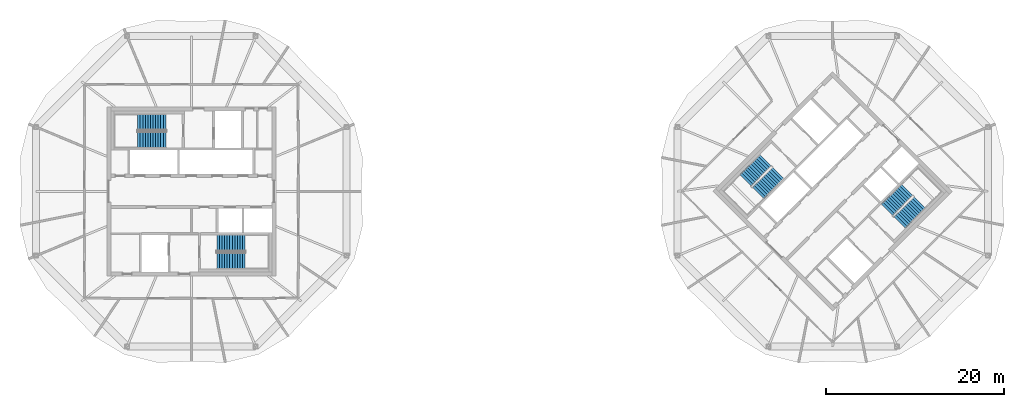
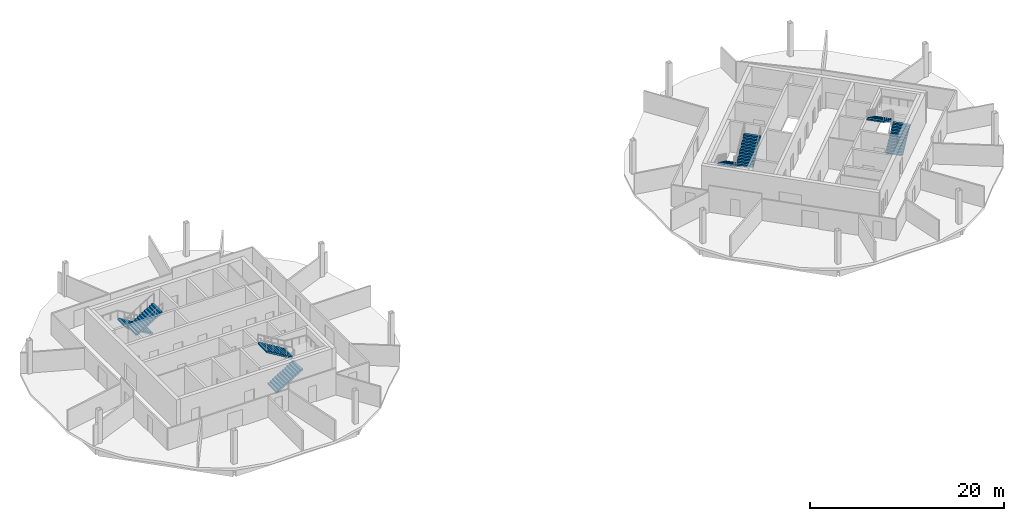
# One storey, part 9 of 10: 8 stair flights, 4 elements without a shape of their own.
"""IFC4 building model written with IfcOpenShell, lengths in metres."""

from ifc_helpers import new_model, si_unit, direction, frame, origin, place, context, subcontext, project, spatial, polyline, outline, extrude, material, type_object, element, aggregate, save


model = new_model("IFC4")

# Units and contexts
model_context = context("Model", 3, precision=1e-05, world=origin(), true_north=direction((0.0, 1.0)))
body_context = subcontext(model_context, "Body", "Model", "MODEL_VIEW")
ifc_project = project(units=[si_unit("LENGTHUNIT", "METRE"), si_unit("AREAUNIT", "SQUARE_METRE"), si_unit("VOLUMEUNIT", "CUBIC_METRE"), si_unit("PLANEANGLEUNIT", "RADIAN"), si_unit("MASSUNIT", "GRAM", prefix="KILO")], contexts=[model_context])

# Site, building, storey
site_placement = place(None, origin())
site = spatial("IfcSite", under=ifc_project, at=site_placement, CompositionType="ELEMENT")
building_placement = place(site_placement, origin())
building = spatial("IfcBuilding", under=site, at=building_placement, Name="Ogive Gate Towers", CompositionType="ELEMENT")
storey_placement = place(building_placement, frame((0.0, 0.0, 260.39990234375)))
storey = spatial("IfcBuildingStorey", under=building, at=storey_placement, Name="L61", CompositionType="ELEMENT", Elevation=260.39990234375)

# Stair, stair flights
ifc_material = material(Name="Concrete C40/50", Category="concrete")
stair_type = type_object("IfcStairType", Name="Escape stair 1840 wide", PredefinedType="HALF_TURN_STAIR", material=ifc_material)
stair_1_placement = place(storey_placement, origin())
stair_1 = element("IfcStair", 1, at=stair_1_placement, inside=storey, type_object=stair_type, Name="L61 Escape stair 1", PredefinedType="HALF_TURN_STAIR")
stair_flight_type = type_object("IfcStairFlightType", Name="Stair flight 1840 wide", PredefinedType="STRAIGHT", material=ifc_material)
stair_flight_1_placement = place(storey_placement, frame((-38.864990234375, 7.780029296875, 0.0), z_axis=(0.0, 0.0, 1.0), x_axis=(-1.0, 0.0, 0.0)))
stair_flight_1 = element("IfcStairFlight", 2, at=stair_flight_1_placement, type_object=stair_flight_type, Name="ST1 flight 1", NumberOfRisers=12, NumberOfTreads=11, PredefinedType="STRAIGHT", RiserHeight=0.175, TreadLength=0.2875, context=body_context, shape_type="SweptSolid", body=[
    extrude(outline(polyline([(0.0, 0.0), (0.0, 0.175048828125), (0.28759765625, 0.175048828125), (0.28759765625, 0.35009765625), (0.574951171875, 0.35009765625), (0.574951171875, 0.52490234375), (0.862548828125, 0.52490234375), (0.862548828125, 0.699951171875), (1.14990234375, 0.699951171875), (1.14990234375, 0.875), (1.4375, 0.875), (1.4375, 1.050048828125), (1.72509765625, 1.050048828125), (1.72509765625, 1.22509765625), (2.012451171875, 1.22509765625), (2.012451171875, 1.39990234375), (2.300048828125, 1.39990234375), (2.300048828125, 1.574951171875), (2.58740234375, 1.574951171875), (2.58740234375, 1.75), (2.875, 1.75), (2.875, 1.925048828125), (3.16259765625, 1.925048828125), (3.16259765625, 2.10009765625), (3.16259765625, 1.74951171875), (0.288330078125, 0.0), (0.0, 0.0)])), frame((0.0, 0.919921875, 0.0), z_axis=(0.0, -1.0, 0.0), x_axis=(1.0, 0.0, 0.0)), (0.0, 0.0, 1.0), 1.840087890625),
])
stair_flight_2_placement = place(storey_placement, frame((-42.027587890625, 5.794921875, 2.10009765625), z_axis=(0.0, 0.0, 1.0), x_axis=(1.0, 0.0, 0.0)))
stair_flight_2 = element("IfcStairFlight", 3, at=stair_flight_2_placement, type_object=stair_flight_type, Name="ST1 flight 2", NumberOfRisers=12, NumberOfTreads=11, PredefinedType="STRAIGHT", RiserHeight=0.175, TreadLength=0.2875, context=body_context, shape_type="SweptSolid", body=[
    extrude(outline(polyline([(0.0, 0.0), (0.0, 0.175048828125), (0.28759765625, 0.175048828125), (0.28759765625, 0.35009765625), (0.574951171875, 0.35009765625), (0.574951171875, 0.52490234375), (0.862548828125, 0.52490234375), (0.862548828125, 0.699951171875), (1.14990234375, 0.699951171875), (1.14990234375, 0.875), (1.4375, 0.875), (1.4375, 1.050048828125), (1.72509765625, 1.050048828125), (1.72509765625, 1.22509765625), (2.012451171875, 1.22509765625), (2.012451171875, 1.39990234375), (2.300048828125, 1.39990234375), (2.300048828125, 1.574951171875), (2.58740234375, 1.574951171875), (2.58740234375, 1.75), (2.875, 1.75), (2.875, 1.925048828125), (3.16259765625, 1.925048828125), (3.16259765625, 2.10009765625), (3.16259765625, 1.74951171875), (0.288330078125, 0.0), (0.0, 0.0)])), frame((0.0, 0.919921875, 0.0), z_axis=(0.0, -1.0, 0.0), x_axis=(1.0, 0.0, 0.0)), (0.0, 0.0, 1.0), 1.840087890625),
])
aggregate(stair_1, [stair_flight_1, stair_flight_2])

stair_2_placement = place(storey_placement, origin())
stair_2 = element("IfcStair", 4, at=stair_2_placement, inside=storey, type_object=stair_type, Name="L61 Escape stair 2", PredefinedType="HALF_TURN_STAIR")
stair_flight_3_placement = place(storey_placement, frame((-33.135009765625, -7.780029296875, 0.0), z_axis=(0.0, 0.0, 1.0), x_axis=(1.0, 0.0, 0.0)))
stair_flight_3 = element("IfcStairFlight", 5, at=stair_flight_3_placement, type_object=stair_flight_type, Name="ST2 flight 1", NumberOfRisers=12, NumberOfTreads=11, PredefinedType="STRAIGHT", RiserHeight=0.175, TreadLength=0.2875, context=body_context, shape_type="SweptSolid", body=[
    extrude(outline(polyline([(0.0, 0.0), (0.0, 0.175048828125), (0.28759765625, 0.175048828125), (0.28759765625, 0.35009765625), (0.574951171875, 0.35009765625), (0.574951171875, 0.52490234375), (0.862548828125, 0.52490234375), (0.862548828125, 0.699951171875), (1.14990234375, 0.699951171875), (1.14990234375, 0.875), (1.4375, 0.875), (1.4375, 1.050048828125), (1.72509765625, 1.050048828125), (1.72509765625, 1.22509765625), (2.012451171875, 1.22509765625), (2.012451171875, 1.39990234375), (2.300048828125, 1.39990234375), (2.300048828125, 1.574951171875), (2.58740234375, 1.574951171875), (2.58740234375, 1.75), (2.875, 1.75), (2.875, 1.925048828125), (3.16259765625, 1.925048828125), (3.16259765625, 2.10009765625), (3.16259765625, 1.74951171875), (0.288330078125, 0.0), (0.0, 0.0)])), frame((0.0, 0.919921875, 0.0), z_axis=(0.0, -1.0, 0.0), x_axis=(1.0, 0.0, 0.0)), (0.0, 0.0, 1.0), 1.840087890625),
])
stair_flight_4_placement = place(storey_placement, frame((-29.972412109375, -5.794921875, 2.10009765625), z_axis=(0.0, 0.0, 1.0), x_axis=(-1.0, 0.0, 0.0)))
stair_flight_4 = element("IfcStairFlight", 6, at=stair_flight_4_placement, type_object=stair_flight_type, Name="ST2 flight 2", NumberOfRisers=12, NumberOfTreads=11, PredefinedType="STRAIGHT", RiserHeight=0.175, TreadLength=0.2875, context=body_context, shape_type="SweptSolid", body=[
    extrude(outline(polyline([(0.0, 0.0), (0.0, 0.175048828125), (0.28759765625, 0.175048828125), (0.28759765625, 0.35009765625), (0.574951171875, 0.35009765625), (0.574951171875, 0.52490234375), (0.862548828125, 0.52490234375), (0.862548828125, 0.699951171875), (1.14990234375, 0.699951171875), (1.14990234375, 0.875), (1.4375, 0.875), (1.4375, 1.050048828125), (1.72509765625, 1.050048828125), (1.72509765625, 1.22509765625), (2.012451171875, 1.22509765625), (2.012451171875, 1.39990234375), (2.300048828125, 1.39990234375), (2.300048828125, 1.574951171875), (2.58740234375, 1.574951171875), (2.58740234375, 1.75), (2.875, 1.75), (2.875, 1.925048828125), (3.16259765625, 1.925048828125), (3.16259765625, 2.10009765625), (3.16259765625, 1.74951171875), (0.288330078125, 0.0), (0.0, 0.0)])), frame((0.0, 0.919921875, 0.0), z_axis=(0.0, -1.0, 0.0), x_axis=(1.0, 0.0, 0.0)), (0.0, 0.0, 1.0), 1.840087890625),
])
aggregate(stair_2, [stair_flight_3, stair_flight_4])

stair_3_placement = place(storey_placement, origin())
stair_3 = element("IfcStair", 7, at=stair_3_placement, inside=storey, type_object=stair_type, Name="L61 Escape stair 1", PredefinedType="HALF_TURN_STAIR")
stair_flight_5_placement = place(storey_placement, frame((28.472900390625, 3.475341796875, 0.0), z_axis=(0.0, 0.0, 1.0), x_axis=(-0.707106781187, -0.707106781187, 0.0)))
stair_flight_5 = element("IfcStairFlight", 8, at=stair_flight_5_placement, type_object=stair_flight_type, Name="ST1 flight 1", NumberOfRisers=12, NumberOfTreads=11, PredefinedType="STRAIGHT", RiserHeight=0.175, TreadLength=0.2875, context=body_context, shape_type="SweptSolid", body=[
    extrude(outline(polyline([(0.0, 0.0), (0.0, 0.175048828125), (0.28759765625, 0.175048828125), (0.28759765625, 0.35009765625), (0.574951171875, 0.35009765625), (0.574951171875, 0.52490234375), (0.862548828125, 0.52490234375), (0.862548828125, 0.699951171875), (1.14990234375, 0.699951171875), (1.14990234375, 0.875), (1.4375, 0.875), (1.4375, 1.050048828125), (1.72509765625, 1.050048828125), (1.72509765625, 1.22509765625), (2.012451171875, 1.22509765625), (2.012451171875, 1.39990234375), (2.300048828125, 1.39990234375), (2.300048828125, 1.574951171875), (2.58740234375, 1.574951171875), (2.58740234375, 1.75), (2.875, 1.75), (2.875, 1.925048828125), (3.16259765625, 1.925048828125), (3.16259765625, 2.10009765625), (3.16259765625, 1.74951171875), (0.288330078125, 0.0), (0.0, 0.0)])), frame((0.0, 0.919921875, 0.0), z_axis=(0.0, -1.0, 0.0), x_axis=(1.0, 0.0, 0.0)), (0.0, 0.0, 1.0), 1.840087890625),
])
stair_flight_6_placement = place(storey_placement, frame((27.64013671875, -0.164306640625, 2.10009765625), z_axis=(0.0, 0.0, 1.0), x_axis=(0.707106781187, 0.707106781187, 0.0)))
stair_flight_6 = element("IfcStairFlight", 9, at=stair_flight_6_placement, type_object=stair_flight_type, Name="ST1 flight 2", NumberOfRisers=12, NumberOfTreads=11, PredefinedType="STRAIGHT", RiserHeight=0.175, TreadLength=0.2875, context=body_context, shape_type="SweptSolid", body=[
    extrude(outline(polyline([(0.0, 0.0), (0.0, 0.175048828125), (0.28759765625, 0.175048828125), (0.28759765625, 0.35009765625), (0.574951171875, 0.35009765625), (0.574951171875, 0.52490234375), (0.862548828125, 0.52490234375), (0.862548828125, 0.699951171875), (1.14990234375, 0.699951171875), (1.14990234375, 0.875), (1.4375, 0.875), (1.4375, 1.050048828125), (1.72509765625, 1.050048828125), (1.72509765625, 1.22509765625), (2.012451171875, 1.22509765625), (2.012451171875, 1.39990234375), (2.300048828125, 1.39990234375), (2.300048828125, 1.574951171875), (2.58740234375, 1.574951171875), (2.58740234375, 1.75), (2.875, 1.75), (2.875, 1.925048828125), (3.16259765625, 1.925048828125), (3.16259765625, 2.10009765625), (3.16259765625, 1.74951171875), (0.288330078125, 0.0), (0.0, 0.0)])), frame((0.0, 0.919921875, 0.0), z_axis=(0.0, -1.0, 0.0), x_axis=(1.0, 0.0, 0.0)), (0.0, 0.0, 1.0), 1.840087890625),
])
aggregate(stair_3, [stair_flight_5, stair_flight_6])

stair_4_placement = place(storey_placement, origin())
stair_4 = element("IfcStair", 10, at=stair_4_placement, inside=storey, type_object=stair_type, Name="L61 Escape stair 2", PredefinedType="HALF_TURN_STAIR")
stair_flight_7_placement = place(storey_placement, frame((43.527099609375, -3.475341796875, 0.0), z_axis=(0.0, 0.0, 1.0), x_axis=(0.707106781187, 0.707106781187, 0.0)))
stair_flight_7 = element("IfcStairFlight", 11, at=stair_flight_7_placement, type_object=stair_flight_type, Name="ST2 flight 1", NumberOfRisers=12, NumberOfTreads=11, PredefinedType="STRAIGHT", RiserHeight=0.175, TreadLength=0.2875, context=body_context, shape_type="SweptSolid", body=[
    extrude(outline(polyline([(0.0, 0.0), (0.0, 0.175048828125), (0.28759765625, 0.175048828125), (0.28759765625, 0.35009765625), (0.574951171875, 0.35009765625), (0.574951171875, 0.52490234375), (0.862548828125, 0.52490234375), (0.862548828125, 0.699951171875), (1.14990234375, 0.699951171875), (1.14990234375, 0.875), (1.4375, 0.875), (1.4375, 1.050048828125), (1.72509765625, 1.050048828125), (1.72509765625, 1.22509765625), (2.012451171875, 1.22509765625), (2.012451171875, 1.39990234375), (2.300048828125, 1.39990234375), (2.300048828125, 1.574951171875), (2.58740234375, 1.574951171875), (2.58740234375, 1.75), (2.875, 1.75), (2.875, 1.925048828125), (3.16259765625, 1.925048828125), (3.16259765625, 2.10009765625), (3.16259765625, 1.74951171875), (0.288330078125, 0.0), (0.0, 0.0)])), frame((0.0, 0.919921875, 0.0), z_axis=(0.0, -1.0, 0.0), x_axis=(1.0, 0.0, 0.0)), (0.0, 0.0, 1.0), 1.840087890625),
])
stair_flight_8_placement = place(storey_placement, frame((44.35986328125, 0.164306640625, 2.10009765625), z_axis=(0.0, 0.0, 1.0), x_axis=(-0.707106781187, -0.707106781187, 0.0)))
stair_flight_8 = element("IfcStairFlight", 12, at=stair_flight_8_placement, type_object=stair_flight_type, Name="ST2 flight 2", NumberOfRisers=12, NumberOfTreads=11, PredefinedType="STRAIGHT", RiserHeight=0.175, TreadLength=0.2875, context=body_context, shape_type="SweptSolid", body=[
    extrude(outline(polyline([(0.0, 0.0), (0.0, 0.175048828125), (0.28759765625, 0.175048828125), (0.28759765625, 0.35009765625), (0.574951171875, 0.35009765625), (0.574951171875, 0.52490234375), (0.862548828125, 0.52490234375), (0.862548828125, 0.699951171875), (1.14990234375, 0.699951171875), (1.14990234375, 0.875), (1.4375, 0.875), (1.4375, 1.050048828125), (1.72509765625, 1.050048828125), (1.72509765625, 1.22509765625), (2.012451171875, 1.22509765625), (2.012451171875, 1.39990234375), (2.300048828125, 1.39990234375), (2.300048828125, 1.574951171875), (2.58740234375, 1.574951171875), (2.58740234375, 1.75), (2.875, 1.75), (2.875, 1.925048828125), (3.16259765625, 1.925048828125), (3.16259765625, 2.10009765625), (3.16259765625, 1.74951171875), (0.288330078125, 0.0), (0.0, 0.0)])), frame((0.0, 0.919921875, 0.0), z_axis=(0.0, -1.0, 0.0), x_axis=(1.0, 0.0, 0.0)), (0.0, 0.0, 1.0), 1.840087890625),
])
aggregate(stair_4, [stair_flight_7, stair_flight_8])

save(model, "model.ifc")
